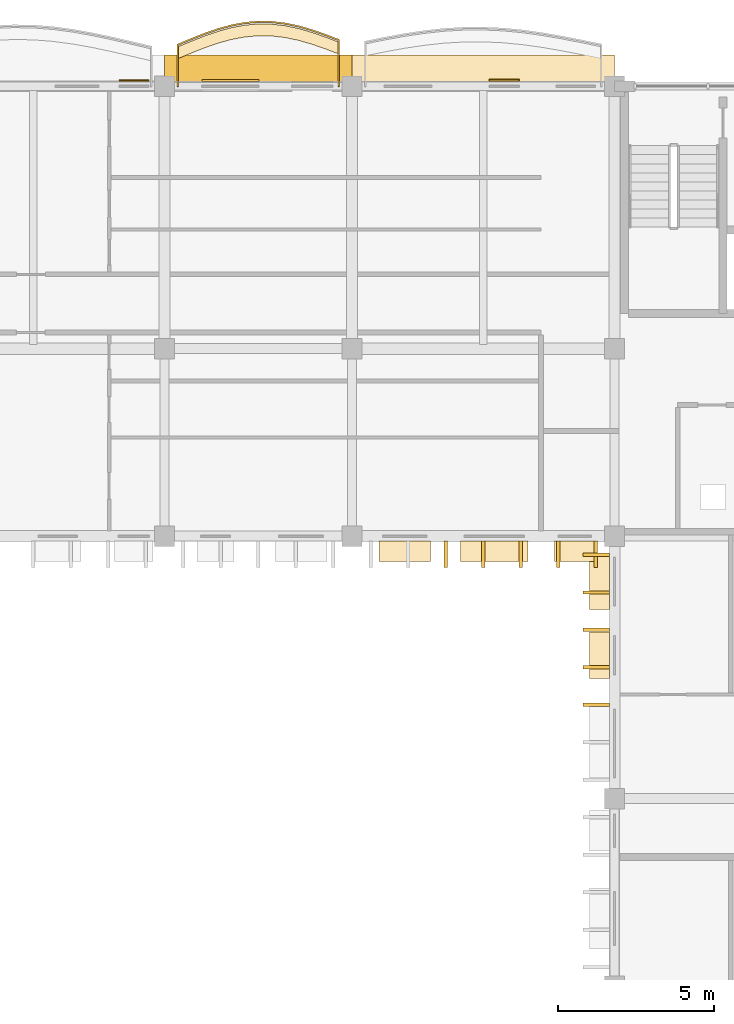
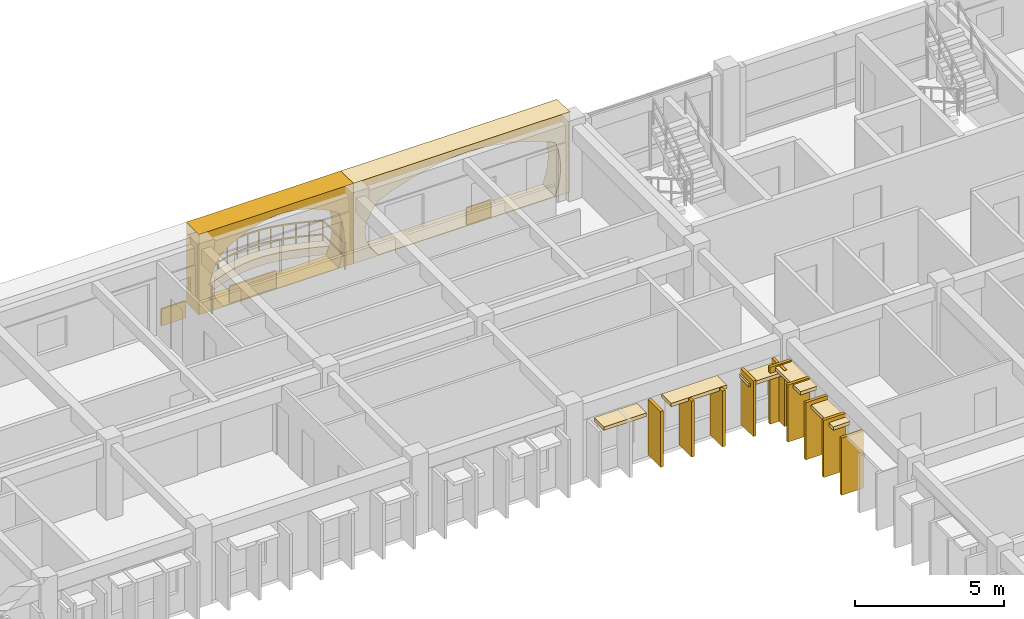
# One storey, part 67 of 70: 21 coverings, 1 railing.
"""IFC4 building model written with IfcOpenShell, lengths in metres."""

from ifc_helpers import new_model, si_unit, direction, frame, origin, origin_2d, place, context, subcontext, project, spatial, polyline, rectangle, outline, extrude, material, layer, layer_set, type_object, element, save


model = new_model("IFC4")

# Units and contexts
model_context = context("Model", 3, precision=1e-05, world=origin(), true_north=direction((0.0, 1.0)))
body_context = subcontext(model_context, "Body", "Model", "MODEL_VIEW")
ifc_project = project(units=[si_unit("LENGTHUNIT", "METRE"), si_unit("AREAUNIT", "SQUARE_METRE"), si_unit("VOLUMEUNIT", "CUBIC_METRE"), si_unit("PLANEANGLEUNIT", "RADIAN"), si_unit("MASSUNIT", "GRAM", prefix="KILO"), si_unit("THERMODYNAMICTEMPERATUREUNIT", "KELVIN")], contexts=[model_context])

# Site, building, storey
site_placement = place(None, origin())
site = spatial("IfcSite", under=ifc_project, at=site_placement, CompositionType="ELEMENT")
building_placement = place(site_placement, origin())
building = spatial("IfcBuilding", under=site, at=building_placement, Name="Thalorik Housing Commons", CompositionType="ELEMENT")
storey_placement = place(building_placement, frame((0.0, 0.0, 14.699951171875)))
storey = spatial("IfcBuildingStorey", under=building, at=storey_placement, Name="L04", CompositionType="ELEMENT", Elevation=14.699951171875)

# Coverings
ifc_material_1 = material(Name="Cobalt blue glazed ceramic facade tile panel", Category="masonry")
ifc_layer_1 = layer(ifc_material_1, 0.06005859375, Name="Cobalt blue glazed ceramic facade tile panel", Category="masonry")
ifc_layer_set_1 = layer_set([ifc_layer_1], Name="Cobalt blue glazed ceramic facade tile panel")
covering_type_1 = type_object("IfcCoveringType", Name="ARC-CLD-BLU-60", PredefinedType="CLADDING", material=ifc_layer_set_1)
covering_1_placement = place(storey_placement, frame((148.87255859375, 123.78759765625, 0.05029296875), z_axis=(0.0, 0.0, 1.0), x_axis=(-1.0, 0.0, 0.0)))
element("IfcCovering", 1, at=covering_1_placement, inside=storey, type_object=covering_type_1, Name="L04 De Stijl Recessed Window Spandrel 2015", PredefinedType="CLADDING", context=body_context, shape_type="SweptSolid", body=[
    extrude(rectangle(XDim=0.949951171875, YDim=0.06005859375, at=origin_2d()), origin(), (0.0, 0.0, 1.0), 0.699951171875),
])
ifc_material_2 = material(Name="Precast concrete C40/50", Category="concrete")
ifc_layer_2 = layer(ifc_material_2, 0.85009765625, Name="Precast concrete C40/50", Category="concrete")
ifc_layer_set_2 = layer_set([ifc_layer_2], Name="Precast concrete C40/50")
covering_type_2 = type_object("IfcCoveringType", Name="ARC-CLD-CUSH-850", PredefinedType="CLADDING", material=ifc_layer_set_2)
covering_2_placement = place(storey_placement, frame((148.199951171875, 124.177490234375, 0.0), z_axis=(0.0, 0.0, 1.0), x_axis=(-1.0, 0.0, 0.0)))
element("IfcCovering", 2, at=covering_2_placement, inside=storey, type_object=covering_type_2, Name="L04 White Precast Curved Cushion Bay Frame 2014", PredefinedType="CLADDING", context=body_context, shape_type="SweptSolid", body=[
    extrude(outline(polyline([(-4.199951171875, 0.0), (4.199951171875, 0.0), (4.199951171875, 3.300048828125), (-4.199951171875, 3.300048828125), (-4.199951171875, 0.0)]), holes=[polyline([(3.239990234375, 0.02490234375), (3.523193359375, 0.394287109375), (3.693359375, 0.76318359375), (3.75, 1.132568359375), (3.693359375, 1.501708984375), (3.523193359375, 1.870849609375), (3.239990234375, 2.239990234375), (2.66748046875, 2.4833984375), (2.094970703125, 2.6748046875), (1.5224609375, 2.82958984375), (0.949951171875, 2.94482421875), (0.37744140625, 3.01611328125), (-0.195068359375, 3.0400390625), (-0.767578125, 3.01611328125), (-1.340087890625, 2.94482421875), (-1.91259765625, 2.82958984375), (-2.485107421875, 2.6748046875), (-3.0576171875, 2.4833984375), (-3.6298828125, 2.239990234375), (-3.750244140625, 1.870849609375), (-3.822509765625, 1.501708984375), (-3.8466796875, 1.132568359375), (-3.822509765625, 0.76318359375), (-3.750244140625, 0.394287109375), (-3.6298828125, 0.02490234375), (3.239990234375, 0.02490234375)])]), frame((0.0, 0.425048828125, 0.0), z_axis=(0.0, -1.0, 0.0), x_axis=(1.0, 0.0, 0.0)), (0.0, 0.0, 1.0), 0.85009765625),
])
covering_3_placement = place(storey_placement, frame((141.0, 124.177490234375, 0.0), z_axis=(0.0, 0.0, 1.0), x_axis=(-1.0, 0.0, 0.0)))
element("IfcCovering", 3, at=covering_3_placement, inside=storey, type_object=covering_type_2, Name="L04 White Precast Curved Cushion Bay Frame 2016", PredefinedType="CLADDING", context=body_context, shape_type="SweptSolid", body=[
    extrude(outline(polyline([(-3.0, 0.0), (3.0, 0.0), (3.0, 3.300048828125), (-3.0, 3.300048828125), (-3.0, 0.0)]), holes=[polyline([(2.0400390625, 0.02490234375), (2.3232421875, 0.40087890625), (2.493408203125, 0.776611328125), (2.550048828125, 1.152587890625), (2.493408203125, 1.5283203125), (2.3232421875, 1.904296875), (2.0400390625, 2.280029296875), (1.66748046875, 2.51123046875), (1.294921875, 2.693115234375), (0.922607421875, 2.840087890625), (0.550048828125, 2.94970703125), (0.177490234375, 3.01708984375), (-0.195068359375, 3.0400390625), (-0.5673828125, 3.01708984375), (-0.93994140625, 2.94970703125), (-1.3125, 2.840087890625), (-1.68505859375, 2.693115234375), (-2.0576171875, 2.51123046875), (-2.429931640625, 2.280029296875), (-2.55029296875, 1.904296875), (-2.62255859375, 1.5283203125), (-2.646484375, 1.152587890625), (-2.62255859375, 0.776611328125), (-2.55029296875, 0.40087890625), (-2.429931640625, 0.02490234375), (2.0400390625, 0.02490234375)])]), frame((0.0, 0.425048828125, 0.0), z_axis=(0.0, -1.0, 0.0), x_axis=(1.0, 0.0, 0.0)), (0.0, 0.0, 1.0), 0.85009765625),
])
ifc_layer_3 = layer(ifc_material_2, 0.85009765625, Name="Precast concrete C40/50", Category="concrete")
ifc_layer_set_3 = layer_set([ifc_layer_3], Name="Precast concrete C40/50")
covering_type_3 = type_object("IfcCoveringType", Name="ARC-CLD-FIN-850", PredefinedType="CLADDING", material=ifc_layer_set_3)
for number, where, z_axis, x_axis, name in (
    (4, (147.0, 108.62255859375, 0.0400390625), (0.0, 0.0, 1.0), (1.0, 0.0, 0.0), "L04 Courtyard Precast Vertical Brise-Soleil Fin 2127"),
    (5, (148.199951171875, 108.62255859375, 0.0400390625), (0.0, 0.0, 1.0), (1.0, 0.0, 0.0), "L04 Courtyard Precast Vertical Brise-Soleil Fin 2128"),
    (6, (149.39990234375, 108.62255859375, 0.0400390625), (0.0, 0.0, 1.0), (1.0, 0.0, 0.0), "L04 Courtyard Precast Vertical Brise-Soleil Fin 2129"),
    (7, (150.60009765625, 108.62255859375, 0.0400390625), (0.0, 0.0, 1.0), (1.0, 0.0, 0.0), "L04 Courtyard Precast Vertical Brise-Soleil Fin 2130"),
    (8, (151.800048828125, 108.62255859375, 0.0400390625), (0.0, 0.0, 1.0), (1.0, 0.0, 0.0), "L04 Courtyard Precast Vertical Brise-Soleil Fin 2131"),
):
    element("IfcCovering", number, at=place(storey_placement, frame(where, z_axis=z_axis, x_axis=x_axis)), inside=storey, type_object=covering_type_3, Name=name, PredefinedType="CLADDING", context=body_context, shape_type="SweptSolid", body=[
        extrude(rectangle(XDim=0.110107421875, YDim=0.85009765625, at=origin_2d()), origin(), (0.0, 0.0, 1.0), 2.294921875),
    ])
for number, where, z_axis, x_axis, name in (
    (9, (151.822509765625, 108.60009765625, 0.0400390625), (0.0, 0.0, 1.0), (0.0, -1.0, 0.0), "L04 Courtyard Precast Vertical Brise-Soleil Fin 2135"),
    (10, (151.822509765625, 107.39990234375, 0.0400390625), (0.0, 0.0, 1.0), (0.0, -1.0, 0.0), "L04 Courtyard Precast Vertical Brise-Soleil Fin 2136"),
    (11, (151.822509765625, 106.199951171875, 0.0400390625), (0.0, 0.0, 1.0), (0.0, -1.0, 0.0), "L04 Courtyard Precast Vertical Brise-Soleil Fin 2137"),
    (12, (151.822509765625, 105.0, 0.0400390625), (0.0, 0.0, 1.0), (0.0, -1.0, 0.0), "L04 Courtyard Precast Vertical Brise-Soleil Fin 2138"),
    (13, (151.822509765625, 103.800048828125, 0.0400390625), (0.0, 0.0, 1.0), (0.0, -1.0, 0.0), "L04 Courtyard Precast Vertical Brise-Soleil Fin 2139"),
):
    element("IfcCovering", number, at=place(storey_placement, frame(where, z_axis=z_axis, x_axis=x_axis)), inside=storey, type_object=covering_type_3, Name=name, PredefinedType="CLADDING", context=body_context, shape_type="SweptSolid", body=[
        extrude(rectangle(XDim=0.110107421875, YDim=0.85009765625, at=origin_2d()), origin(), (0.0, 0.0, 1.0), 2.344970703125),
    ])
ifc_layer_4 = layer(ifc_material_2, 0.64990234375, Name="Precast concrete C40/50", Category="concrete")
ifc_layer_set_4 = layer_set([ifc_layer_4], Name="Precast concrete C40/50")
covering_type_4 = type_object("IfcCoveringType", Name="ARC-CLD-HOOD-650", PredefinedType="CLADDING", material=ifc_layer_set_4)
covering_4_placement = place(storey_placement, frame((145.68994140625, 108.722412109375, 2.169921875), z_axis=(0.0, 0.0, 1.0), x_axis=(1.0, 0.0, 0.0)))
element("IfcCovering", 14, at=covering_4_placement, inside=storey, type_object=covering_type_4, Name="L04 Courtyard Precast Window Sun-Hood 2132", PredefinedType="CLADDING", context=body_context, shape_type="SweptSolid", body=[
    extrude(rectangle(XDim=1.659912109375, YDim=0.64990234375, at=origin_2d()), origin(), (0.0, 0.0, 1.0), 0.139892578125),
])
covering_5_placement = place(storey_placement, frame((148.550048828125, 108.722412109375, 2.22509765625), z_axis=(0.0, 0.0, 1.0), x_axis=(1.0, 0.0, 0.0)))
element("IfcCovering", 15, at=covering_5_placement, inside=storey, type_object=covering_type_4, Name="L04 Courtyard Precast Window Sun-Hood 2133", PredefinedType="CLADDING", context=body_context, shape_type="SweptSolid", body=[
    extrude(rectangle(XDim=2.159912109375, YDim=0.64990234375, at=origin_2d()), origin(), (0.0, 0.0, 1.0), 0.139892578125),
])
covering_6_placement = place(storey_placement, frame((151.1298828125, 108.722412109375, 1.990234375), z_axis=(0.0, 0.0, 1.0), x_axis=(1.0, 0.0, 0.0)))
element("IfcCovering", 16, at=covering_6_placement, inside=storey, type_object=covering_type_4, Name="L04 Courtyard Precast Window Sun-Hood 2134", PredefinedType="CLADDING", context=body_context, shape_type="SweptSolid", body=[
    extrude(rectangle(XDim=1.2900390625, YDim=0.64990234375, at=origin_2d()), origin(), (0.0, 0.0, 1.0), 0.139892578125),
])
covering_7_placement = place(storey_placement, frame((151.922607421875, 107.757568359375, 2.18994140625), z_axis=(0.0, 0.0, 1.0), x_axis=(0.0, -1.0, 0.0)))
element("IfcCovering", 17, at=covering_7_placement, inside=storey, type_object=covering_type_4, Name="L04 Courtyard Precast Window Sun-Hood 2142", PredefinedType="CLADDING", context=body_context, shape_type="SweptSolid", body=[
    extrude(rectangle(XDim=1.7900390625, YDim=0.64990234375, at=origin_2d()), origin(), (0.0, 0.0, 1.0), 0.139892578125),
])
covering_8_placement = place(storey_placement, frame((151.922607421875, 105.392578125, 2.09033203125), z_axis=(0.0, 0.0, 1.0), x_axis=(0.0, -1.0, 0.0)))
element("IfcCovering", 18, at=covering_8_placement, inside=storey, type_object=covering_type_4, Name="L04 Courtyard Precast Window Sun-Hood 2143", PredefinedType="CLADDING", context=body_context, shape_type="SweptSolid", body=[
    extrude(rectangle(XDim=1.489990234375, YDim=0.64990234375, at=origin_2d()), origin(), (0.0, 0.0, 1.0), 0.139892578125),
])
ifc_material_3 = material(Name="Terracotta red mineral fibre-cement panel", Category="masonry")
ifc_layer_5 = layer(ifc_material_3, 0.054931640625, Name="Terracotta red mineral fibre-cement panel", Category="masonry")
ifc_layer_set_5 = layer_set([ifc_layer_5], Name="Terracotta red mineral fibre-cement panel")
covering_type_5 = type_object("IfcCoveringType", Name="ARC-CLD-RED-55", PredefinedType="CLADDING", material=ifc_layer_set_5)
covering_9_placement = place(storey_placement, frame((137.02099609375, 123.784912109375, 0.05029296875), z_axis=(0.0, 0.0, 1.0), x_axis=(-1.0, 0.0, 0.0)))
element("IfcCovering", 19, at=covering_9_placement, inside=storey, type_object=covering_type_5, Name="L04 De Stijl Recessed Window Spandrel 2019", PredefinedType="CLADDING", context=body_context, shape_type="SweptSolid", body=[
    extrude(rectangle(XDim=0.949951171875, YDim=0.054931640625, at=origin_2d()), origin(), (0.0, 0.0, 1.0), 0.699951171875),
])
ifc_material_4 = material(Name="Mineral ochre architectural terracotta panel", Category="masonry")
ifc_layer_6 = layer(ifc_material_4, 0.06494140625, Name="Mineral ochre architectural terracotta panel", Category="masonry")
ifc_layer_set_6 = layer_set([ifc_layer_6], Name="Mineral ochre architectural terracotta panel")
covering_type_6 = type_object("IfcCoveringType", Name="ARC-CLD-YEL-65", PredefinedType="CLADDING", material=ifc_layer_set_6)
covering_10_placement = place(storey_placement, frame((140.110107421875, 123.7900390625, 0.05029296875), z_axis=(0.0, 0.0, 1.0), x_axis=(-1.0, 0.0, 0.0)))
element("IfcCovering", 20, at=covering_10_placement, inside=storey, type_object=covering_type_6, Name="L04 De Stijl Recessed Window Spandrel 2017", PredefinedType="CLADDING", context=body_context, shape_type="SweptSolid", body=[
    extrude(rectangle(XDim=1.820068359375, YDim=0.06494140625, at=origin_2d()), origin(), (0.0, 0.0, 1.0), 0.699951171875),
])
ifc_material_5 = material(Name="Planted vegetated substrate and terracotta trough", Category="masonry")
ifc_layer_7 = layer(ifc_material_5, 0.340087890625, Name="Planted vegetated substrate and terracotta trough", Category="masonry")
ifc_layer_set_7 = layer_set([ifc_layer_7], Name="Planted vegetated substrate and terracotta trough")
covering_type_7 = type_object("IfcCoveringType", Name="ARC-COV-PLANTER", PredefinedType="USERDEFINED", material=ifc_layer_set_7)
covering_11_placement = place(storey_placement, origin())
element("IfcCovering", 21, at=covering_11_placement, inside=storey, type_object=covering_type_7, Name="L04 Balcony Slab-Edge Planted Trough 5459", ObjectType="PLANTER", PredefinedType="USERDEFINED", context=body_context, shape_type="SweptSolid", body=[
    extrude(outline(polyline([(143.580078125, 125.01123046875), (143.14990234375, 125.175048828125), (142.719970703125, 125.323974609375), (142.2900390625, 125.44775390625), (141.860107421875, 125.5380859375), (141.429931640625, 125.58837890625), (141.0, 125.59521484375), (140.570068359375, 125.55712890625), (140.139892578125, 125.4765625), (139.7099609375, 125.35791015625), (139.280029296875, 125.209228515625), (138.85009765625, 125.039306640625), (138.419921875, 124.859375), (138.419921875, 124.479248046875), (138.85009765625, 124.6591796875), (139.280029296875, 124.8291015625), (139.7099609375, 124.97802734375), (140.139892578125, 125.096435546875), (140.570068359375, 125.177001953125), (141.0, 125.215087890625), (141.429931640625, 125.20849609375), (141.860107421875, 125.158203125), (142.2900390625, 125.06787109375), (142.719970703125, 124.94384765625), (143.14990234375, 124.794921875), (143.580078125, 124.631103515625), (143.580078125, 125.01123046875)])), origin(), (0.0, 0.0, 1.0), 0.340087890625),
])

# Railing
ifc_material_6 = material(Name="Steel S355", Category="steel")
railing_type = type_object("IfcRailingType", Name="ARC-RL-BAL-115", PredefinedType="BALUSTRADE", material=ifc_material_6)
railing_placement = place(storey_placement, frame((143.580078125, 123.60009765625, 0.0)))
element("IfcRailing", 22, at=railing_placement, inside=storey, type_object=railing_type, Name="L04 Cushion Balcony Guardrail 143", PredefinedType="BALUSTRADE", context=body_context, shape_type="SweptSolid", body=[
    extrude(rectangle(XDim=0.050048828125, YDim=0.050048828125, at=origin_2d()), frame((0.0, 0.0, 1.125), z_axis=(0.0, 1.0, 0.0), x_axis=(-1.0, 0.0, 0.0)), (0.0, 0.0, 1.0), 1.481201171875),
    extrude(rectangle(XDim=0.050048828125, YDim=0.050048828125, at=origin_2d()), frame((0.0, 0.0, 0.5498046875), z_axis=(0.0, 1.0, 0.0), x_axis=(-1.0, 0.0, 0.0)), (0.0, 0.0, 1.0), 1.481201171875),
    extrude(rectangle(XDim=0.050048828125, YDim=0.050048828125, at=origin_2d()), frame((0.0, 1.481201171875, 1.125), z_axis=(-0.934529738727, 0.355885048062, 0.0), x_axis=(-0.355885048062, -0.934529738727, 0.0)), (0.0, 0.0, 1.0), 0.460205078125),
    extrude(rectangle(XDim=0.050048828125, YDim=0.050048828125, at=origin_2d()), frame((0.0, 1.481201171875, 0.5498046875), z_axis=(-0.934529738727, 0.355885048062, 0.0), x_axis=(-0.355885048062, -0.934529738727, 0.0)), (0.0, 0.0, 1.0), 0.460205078125),
    extrude(rectangle(XDim=0.050048828125, YDim=0.050048828125, at=origin_2d()), frame((-0.43017578125, 1.64501953125, 1.125), z_axis=(-0.945081740918, 0.326834060317, 0.0), x_axis=(-0.326834060317, -0.945081740918, 0.0)), (0.0, 0.0, 1.0), 0.454833984375),
    extrude(rectangle(XDim=0.050048828125, YDim=0.050048828125, at=origin_2d()), frame((-0.43017578125, 1.64501953125, 0.5498046875), z_axis=(-0.945081740918, 0.326834060317, 0.0), x_axis=(-0.326834060317, -0.945081740918, 0.0)), (0.0, 0.0, 1.0), 0.454833984375),
    extrude(rectangle(XDim=0.050048828125, YDim=0.050048828125, at=origin_2d()), frame((-0.860107421875, 1.793701171875, 1.125), z_axis=(-0.960820796949, 0.277170337791, 0.0), x_axis=(-0.277170337791, -0.960820796949, 0.0)), (0.0, 0.0, 1.0), 0.447509765625),
    extrude(rectangle(XDim=0.050048828125, YDim=0.050048828125, at=origin_2d()), frame((-0.860107421875, 1.793701171875, 0.5498046875), z_axis=(-0.960820796949, 0.277170337791, 0.0), x_axis=(-0.277170337791, -0.960820796949, 0.0)), (0.0, 0.0, 1.0), 0.447509765625),
    extrude(rectangle(XDim=0.050048828125, YDim=0.050048828125, at=origin_2d()), frame((-1.2900390625, 1.917724609375, 1.125), z_axis=(-0.978632254484, 0.205618361249, 0.0), x_axis=(-0.205618361249, -0.978632254484, 0.0)), (0.0, 0.0, 1.0), 0.439208984375),
    extrude(rectangle(XDim=0.050048828125, YDim=0.050048828125, at=origin_2d()), frame((-1.2900390625, 1.917724609375, 0.5498046875), z_axis=(-0.978632254484, 0.205618361249, 0.0), x_axis=(-0.205618361249, -0.978632254484, 0.0)), (0.0, 0.0, 1.0), 0.439208984375),
    extrude(rectangle(XDim=0.050048828125, YDim=0.050048828125, at=origin_2d()), frame((-1.719970703125, 2.008056640625, 1.125), z_axis=(-0.993234994494, 0.116121684941, 0.0), x_axis=(-0.116121684941, -0.993234994494, 0.0)), (0.0, 0.0, 1.0), 0.43310546875),
    extrude(rectangle(XDim=0.050048828125, YDim=0.050048828125, at=origin_2d()), frame((-1.719970703125, 2.008056640625, 0.5498046875), z_axis=(-0.993234994494, 0.116121684941, 0.0), x_axis=(-0.116121684941, -0.993234994494, 0.0)), (0.0, 0.0, 1.0), 0.43310546875),
    extrude(rectangle(XDim=0.050048828125, YDim=0.050048828125, at=origin_2d()), frame((-2.150146484375, 2.058349609375, 1.125), z_axis=(-0.999882482577, 0.015330395815, 0.0), x_axis=(-0.015330395815, -0.999882482577, 0.0)), (0.0, 0.0, 1.0), 0.429931640625),
    extrude(rectangle(XDim=0.050048828125, YDim=0.050048828125, at=origin_2d()), frame((-2.150146484375, 2.058349609375, 0.5498046875), z_axis=(-0.999882482577, 0.015330395815, 0.0), x_axis=(-0.015330395815, -0.999882482577, 0.0)), (0.0, 0.0, 1.0), 0.429931640625),
    extrude(rectangle(XDim=0.050048828125, YDim=0.050048828125, at=origin_2d()), frame((-2.580078125, 2.06494140625, 1.125), z_axis=(-0.996148763572, -0.087679192705, 0.0), x_axis=(0.087679192705, -0.996148763572, 0.0)), (0.0, 0.0, 1.0), 0.431640625),
    extrude(rectangle(XDim=0.050048828125, YDim=0.050048828125, at=origin_2d()), frame((-2.580078125, 2.06494140625, 0.5498046875), z_axis=(-0.996148763572, -0.087679192705, 0.0), x_axis=(0.087679192705, -0.996148763572, 0.0)), (0.0, 0.0, 1.0), 0.431640625),
    extrude(rectangle(XDim=0.050048828125, YDim=0.050048828125, at=origin_2d()), frame((-3.010009765625, 2.027099609375, 1.125), z_axis=(-0.982808984292, -0.184625297276, 0.0), x_axis=(0.184625297276, -0.982808984292, 0.0)), (0.0, 0.0, 1.0), 0.437744140625),
    extrude(rectangle(XDim=0.050048828125, YDim=0.050048828125, at=origin_2d()), frame((-3.010009765625, 2.027099609375, 0.5498046875), z_axis=(-0.982808984292, -0.184625297276, 0.0), x_axis=(0.184625297276, -0.982808984292, 0.0)), (0.0, 0.0, 1.0), 0.437744140625),
    extrude(rectangle(XDim=0.050048828125, YDim=0.050048828125, at=origin_2d()), frame((-3.440185546875, 1.9462890625, 1.125), z_axis=(-0.964103843637, -0.265525476527, 0.0), x_axis=(0.265525476527, -0.964103843637, 0.0)), (0.0, 0.0, 1.0), 0.446044921875),
    extrude(rectangle(XDim=0.050048828125, YDim=0.050048828125, at=origin_2d()), frame((-3.440185546875, 1.9462890625, 0.5498046875), z_axis=(-0.964103843637, -0.265525476527, 0.0), x_axis=(0.265525476527, -0.964103843637, 0.0)), (0.0, 0.0, 1.0), 0.446044921875),
    extrude(rectangle(XDim=0.050048828125, YDim=0.050048828125, at=origin_2d()), frame((-3.8701171875, 1.827880859375, 1.125), z_axis=(-0.945081740918, -0.326834060317, 0.0), x_axis=(0.326834060317, -0.945081740918, 0.0)), (0.0, 0.0, 1.0), 0.454833984375),
    extrude(rectangle(XDim=0.050048828125, YDim=0.050048828125, at=origin_2d()), frame((-3.8701171875, 1.827880859375, 0.5498046875), z_axis=(-0.945081740918, -0.326834060317, 0.0), x_axis=(0.326834060317, -0.945081740918, 0.0)), (0.0, 0.0, 1.0), 0.454833984375),
    extrude(rectangle(XDim=0.050048828125, YDim=0.050048828125, at=origin_2d()), frame((-4.300048828125, 1.67919921875, 1.125), z_axis=(-0.929998507848, -0.367563294414, 0.0), x_axis=(0.367563294414, -0.929998507848, 0.0)), (0.0, 0.0, 1.0), 0.46240234375),
    extrude(rectangle(XDim=0.050048828125, YDim=0.050048828125, at=origin_2d()), frame((-4.300048828125, 1.67919921875, 0.5498046875), z_axis=(-0.929998507848, -0.367563294414, 0.0), x_axis=(0.367563294414, -0.929998507848, 0.0)), (0.0, 0.0, 1.0), 0.46240234375),
    extrude(rectangle(XDim=0.050048828125, YDim=0.050048828125, at=origin_2d()), frame((-4.72998046875, 1.50927734375, 1.125), z_axis=(-0.922362917964, -0.386324536582, 0.0), x_axis=(0.386324536582, -0.922362917964, 0.0)), (0.0, 0.0, 1.0), 0.46630859375),
    extrude(rectangle(XDim=0.050048828125, YDim=0.050048828125, at=origin_2d()), frame((-4.72998046875, 1.50927734375, 0.5498046875), z_axis=(-0.922362917964, -0.386324536582, 0.0), x_axis=(0.386324536582, -0.922362917964, 0.0)), (0.0, 0.0, 1.0), 0.46630859375),
    extrude(rectangle(XDim=0.050048828125, YDim=0.050048828125, at=origin_2d()), frame((-5.16015625, 1.3291015625, 1.125), z_axis=(0.0, -1.0, 0.0), x_axis=(1.0, 0.0, 0.0)), (0.0, 0.0, 1.0), 1.3291015625),
    extrude(rectangle(XDim=0.050048828125, YDim=0.050048828125, at=origin_2d()), frame((-5.16015625, 1.3291015625, 0.5498046875), z_axis=(0.0, -1.0, 0.0), x_axis=(1.0, 0.0, 0.0)), (0.0, 0.0, 1.0), 1.3291015625),
    extrude(rectangle(XDim=0.0419921875, YDim=0.0419921875, at=origin_2d()), origin(), (0.0, 0.0, 1.0), 1.099853515625),
    extrude(rectangle(XDim=0.0419921875, YDim=0.0419921875, at=origin_2d()), frame((0.0, 1.481201171875, 0.0)), (0.0, 0.0, 1.0), 1.099853515625),
    extrude(rectangle(XDim=0.0419921875, YDim=0.0419921875, at=origin_2d()), frame((-0.43017578125, 1.64501953125, 0.0)), (0.0, 0.0, 1.0), 1.099853515625),
    extrude(rectangle(XDim=0.0419921875, YDim=0.0419921875, at=origin_2d()), frame((-0.860107421875, 1.793701171875, 0.0)), (0.0, 0.0, 1.0), 1.099853515625),
    extrude(rectangle(XDim=0.0419921875, YDim=0.0419921875, at=origin_2d()), frame((-1.2900390625, 1.917724609375, 0.0)), (0.0, 0.0, 1.0), 1.099853515625),
    extrude(rectangle(XDim=0.0419921875, YDim=0.0419921875, at=origin_2d()), frame((-1.719970703125, 2.008056640625, 0.0)), (0.0, 0.0, 1.0), 1.099853515625),
    extrude(rectangle(XDim=0.0419921875, YDim=0.0419921875, at=origin_2d()), frame((-2.150146484375, 2.058349609375, 0.0)), (0.0, 0.0, 1.0), 1.099853515625),
    extrude(rectangle(XDim=0.0419921875, YDim=0.0419921875, at=origin_2d()), frame((-2.580078125, 2.06494140625, 0.0)), (0.0, 0.0, 1.0), 1.099853515625),
    extrude(rectangle(XDim=0.0419921875, YDim=0.0419921875, at=origin_2d()), frame((-3.010009765625, 2.027099609375, 0.0)), (0.0, 0.0, 1.0), 1.099853515625),
    extrude(rectangle(XDim=0.0419921875, YDim=0.0419921875, at=origin_2d()), frame((-3.440185546875, 1.9462890625, 0.0)), (0.0, 0.0, 1.0), 1.099853515625),
    extrude(rectangle(XDim=0.0419921875, YDim=0.0419921875, at=origin_2d()), frame((-3.8701171875, 1.827880859375, 0.0)), (0.0, 0.0, 1.0), 1.099853515625),
    extrude(rectangle(XDim=0.0419921875, YDim=0.0419921875, at=origin_2d()), frame((-4.300048828125, 1.67919921875, 0.0)), (0.0, 0.0, 1.0), 1.099853515625),
    extrude(rectangle(XDim=0.0419921875, YDim=0.0419921875, at=origin_2d()), frame((-4.72998046875, 1.50927734375, 0.0)), (0.0, 0.0, 1.0), 1.099853515625),
    extrude(rectangle(XDim=0.0419921875, YDim=0.0419921875, at=origin_2d()), frame((-5.16015625, 1.3291015625, 0.0)), (0.0, 0.0, 1.0), 1.099853515625),
    extrude(rectangle(XDim=0.0419921875, YDim=0.0419921875, at=origin_2d()), frame((-5.16015625, 0.0, 0.0)), (0.0, 0.0, 1.0), 1.099853515625),
])

save(model, "model.ifc")
